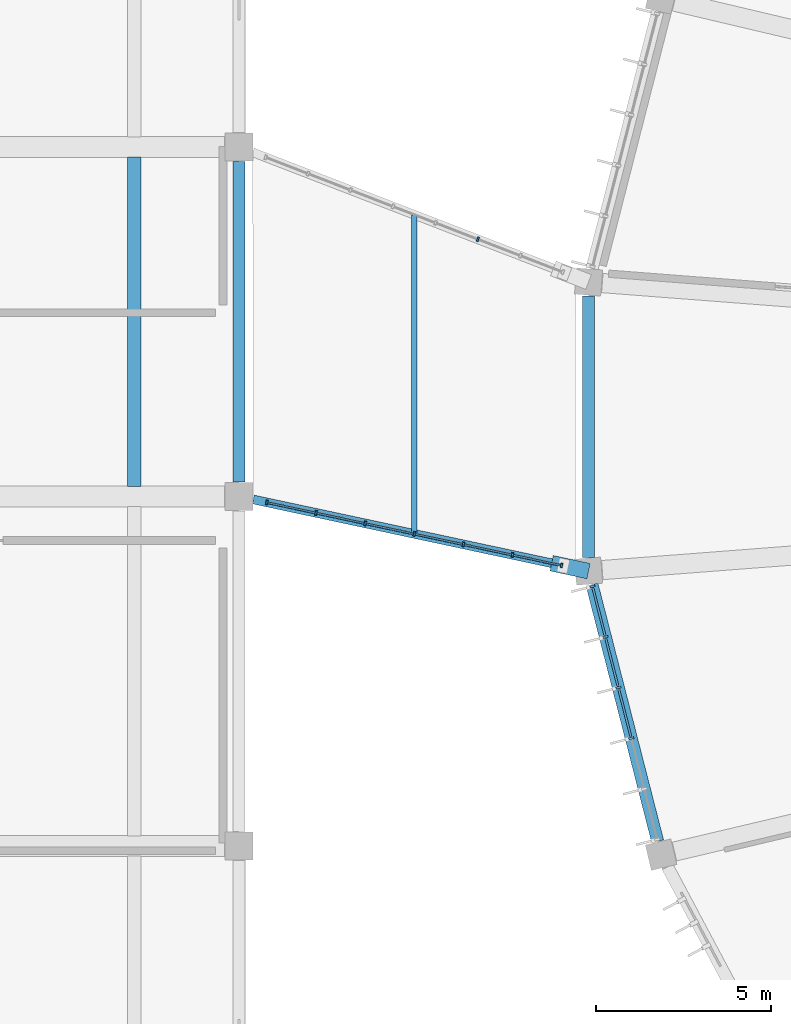
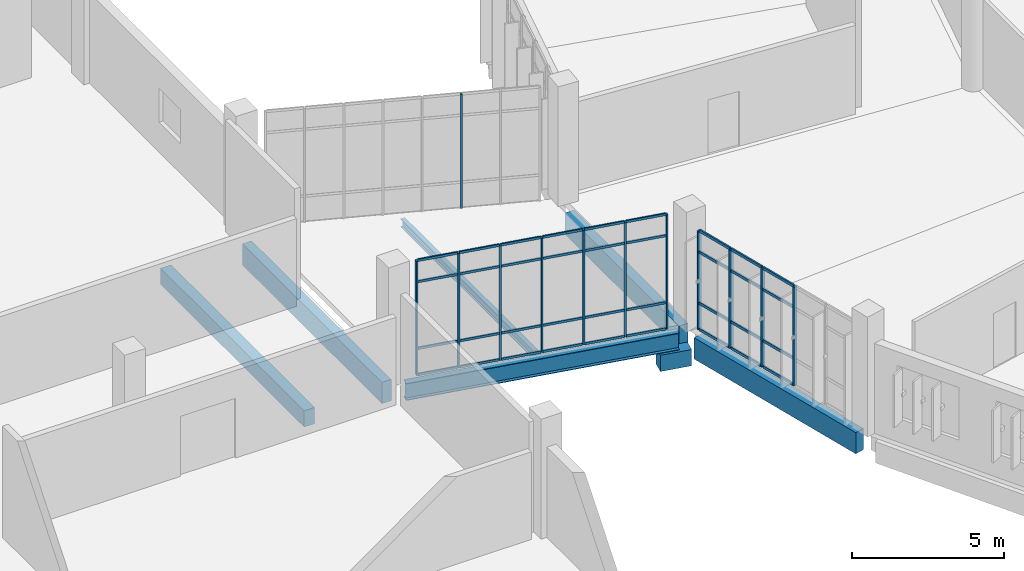
# One storey, part 5 of 179: 48 members, 7 beams, 3 elements without a shape of their own.
"""IFC4 building model written with IfcOpenShell, lengths in metres."""

import ifcopenshell
import ifcopenshell.guid

model = None  # the IFC model being written
_history = None  # IfcOwnerHistory: only IFC2X3 demands one
_inside = {}  # id of a spatial element -> (the spatial element, [elements in it])
_under = {}  # id of a project, library or spatial element -> (it, [spatial elements below it])
_declared = {}  # id of a project -> (the project, [libraries it declares])
_typed = {}  # id of a type object -> (the type object, [elements of that type])
_made_of = {}  # id of a material, layer set ... -> (it, [elements and type objects made of it])


def new_model(schema):
    """Start an empty IFC model of exactly this schema.

    Asked for "IFC4X3", IfcOpenShell would pick the latest addendum, in which some entities
    have other attributes; the version numbers below select the first issue.
    IFC2X3 requires an IfcOwnerHistory on every rooted entity: one is made here for all.
    """
    global model, _history
    if schema == "IFC4X3":
        model = ifcopenshell.file(schema_version=(4, 3, 0, 0))
    else:
        model = ifcopenshell.file(schema=schema)
    _inside.clear()
    _under.clear()
    _declared.clear()
    _typed.clear()
    _made_of.clear()
    _history = None
    if model.schema == "IFC2X3":
        org = make("IfcOrganization", Name="unknown")
        user = make(
            "IfcPersonAndOrganization",
            ThePerson=make("IfcPerson", FamilyName="unknown"),
            TheOrganization=org,
        )
        app = make(
            "IfcApplication",
            ApplicationDeveloper=org,
            Version="unknown",
            ApplicationFullName="unknown",
            ApplicationIdentifier="unknown",
        )
        _history = make(
            "IfcOwnerHistory",
            OwningUser=user,
            OwningApplication=app,
            ChangeAction="ADDED",
            CreationDate=0,
        )
    return model


def make(cls, **values):
    """One entity of the class cls with the attributes given. An attribute that is None is left unset."""
    return model.create_entity(
        cls, **{name: value for name, value in values.items() if value is not None}
    )


def rooted(cls, **values):
    """An entity with a GlobalId (a new one), such as an element, a storey or a relation."""
    return make(cls, GlobalId=ifcopenshell.guid.new(), OwnerHistory=_history, **values)


def si_unit(unit_type, name, prefix=None):
    """IfcSIUnit, for example si_unit("LENGTHUNIT", "METRE", prefix="MILLI")."""
    return make("IfcSIUnit", UnitType=unit_type, Prefix=prefix, Name=name)


def assignment(units):
    """IfcUnitAssignment: the units of a project."""
    return None if units is None else make("IfcUnitAssignment", Units=units)


def point(xyz):
    """IfcCartesianPoint."""
    return None if xyz is None else make("IfcCartesianPoint", Coordinates=xyz)


def direction(xyz):
    """IfcDirection."""
    return None if xyz is None else make("IfcDirection", DirectionRatios=xyz)


def frame(location, z_axis=None, x_axis=None):
    """IfcAxis2Placement3D, a coordinate frame: its origin and axes. An axis left out is left unset."""
    return make(
        "IfcAxis2Placement3D",
        Location=point(location),
        Axis=direction(z_axis),
        RefDirection=direction(x_axis),
    )


def frame_2d(location, x_axis=None):
    """IfcAxis2Placement2D, a coordinate frame in the plane: its origin and x axis."""
    return make(
        "IfcAxis2Placement2D", Location=point(location), RefDirection=direction(x_axis)
    )


def origin():
    """The frame at (0, 0, 0) with its axes left unset."""
    return frame((0.0, 0.0, 0.0))


def origin_2d():
    """The frame at (0, 0) in the plane with its x axis left unset."""
    return frame_2d((0.0, 0.0))


def place(relative_to, where):
    """IfcLocalPlacement: puts the frame where relative to a parent placement (None: the world)."""
    return make(
        "IfcLocalPlacement", PlacementRelTo=relative_to, RelativePlacement=where
    )


def context(
    kind, dimensions, precision=None, world=None, true_north=None, identifier=None
):
    """IfcGeometricRepresentationContext, for example the 3D "Model" context."""
    return make(
        "IfcGeometricRepresentationContext",
        ContextIdentifier=identifier,
        ContextType=kind,
        CoordinateSpaceDimension=dimensions,
        Precision=precision,
        WorldCoordinateSystem=world,
        TrueNorth=true_north,
    )


def subcontext(parent, identifier, kind, view, scale=None):
    """IfcGeometricRepresentationSubContext, for example "Body" below "Model"."""
    return make(
        "IfcGeometricRepresentationSubContext",
        ContextIdentifier=identifier,
        ContextType=kind,
        ParentContext=parent,
        TargetScale=scale,
        TargetView=view,
    )


def project(units=None, contexts=None):
    """IfcProject with its units and contexts."""
    return rooted(
        "IfcProject",
        Name="project",
        RepresentationContexts=contexts,
        UnitsInContext=assignment(units),
    )


def spatial(cls, under=None, at=None, **own):
    """A site, building, storey or space (cls), placed at a placement, below another one or the project."""
    s = rooted(cls, ObjectPlacement=at, **own)
    if under is not None:
        _under.setdefault(under.id(), (under, []))[1].append(s)
    return s


def profile(cls, at=None, kind="AREA", **sizes):
    """A parametric profile (cls). Its sizes go by their IFC names, for example OverallWidth=200.0."""
    return make(cls, ProfileType=kind, Position=at, **sizes)


def rectangle(**sizes):
    """IfcRectangleProfileDef."""
    return profile("IfcRectangleProfileDef", **sizes)


def i_section(**sizes):
    """IfcIShapeProfileDef."""
    return profile("IfcIShapeProfileDef", **sizes)


def extrude(swept, where, along, depth):
    """IfcExtrudedAreaSolid: the profile swept, set in the frame where, extruded along a direction by depth."""
    return make(
        "IfcExtrudedAreaSolid",
        SweptArea=swept,
        Position=where,
        ExtrudedDirection=direction(along),
        Depth=depth,
    )


def shape(context_of_items, identifier, shape_type, items):
    """IfcShapeRepresentation: the items that make up one representation, for example the "Body"."""
    return make(
        "IfcShapeRepresentation",
        ContextOfItems=context_of_items,
        RepresentationIdentifier=identifier,
        RepresentationType=shape_type,
        Items=items,
    )


def material(Name=None, Category=None):
    """IfcMaterial."""
    return make("IfcMaterial", Name=Name, Category=Category)


def layer(
    of_material, thickness, ventilated=None, Name=None, Category=None, Priority=None
):
    """IfcMaterialLayer: one layer of a wall or slab, of a material (None: an air gap)."""
    return make(
        "IfcMaterialLayer",
        Material=of_material,
        LayerThickness=thickness,
        IsVentilated=ventilated,
        Name=Name,
        Category=Category,
        Priority=Priority,
    )


def layer_set(layers, Name=None):
    """IfcMaterialLayerSet."""
    return make("IfcMaterialLayerSet", MaterialLayers=layers, LayerSetName=Name)


def material_profile(
    of_material, cross_section, Name=None, Category=None, Priority=None
):
    """IfcMaterialProfile: a cross section and its material."""
    return make(
        "IfcMaterialProfile",
        Name=Name,
        Material=of_material,
        Profile=cross_section,
        Priority=Priority,
        Category=Category,
    )


def profile_set(profiles, Name=None, composite=None):
    """IfcMaterialProfileSet."""
    return make(
        "IfcMaterialProfileSet",
        Name=Name,
        MaterialProfiles=profiles,
        CompositeProfile=composite,
    )


def made_of(thing, what):
    """Note that an element or type object is made of a material, layer set ...; save() writes the relation."""
    if what is not None:
        _made_of.setdefault(what.id(), (what, []))[1].append(thing)
    return thing


def type_object(cls, material=None, **own):
    """A type object (cls), such as IfcWallType, which elements share."""
    return made_of(rooted(cls, **own), material)


def element(
    cls,
    number,
    at=None,
    inside=None,
    cuts=None,
    type_object=None,
    material=None,
    context=None,
    identifier="Body",
    shape_type=None,
    held_by="IfcProductDefinitionShape",
    body=None,
    shapes=None,
    **own,
):
    """One element of the class cls, such as IfcWall. Its Tag is "e" and its number.

    at: its placement. inside: the storey or other place that contains it. cuts: it is an
    opening in that element (IfcRelVoidsElement). A single representation is given by context,
    identifier, shape_type and body (its items); several are given by shapes. held_by: the class
    of the entity that holds the representations. save() writes the other relations.
    """
    e = rooted(cls, Tag="e%d" % number, ObjectPlacement=at, **own)
    if body is not None:
        shapes = [shape(context, identifier, shape_type, body)]
    if shapes is not None:
        e.Representation = make(held_by, Representations=shapes)
    if inside is not None:
        _inside.setdefault(inside.id(), (inside, []))[1].append(e)
    if cuts is not None:
        rooted(
            "IfcRelVoidsElement", RelatingBuildingElement=cuts, RelatedOpeningElement=e
        )
    if type_object is not None:
        _typed.setdefault(type_object.id(), (type_object, []))[1].append(e)
    return made_of(e, material)


def aggregate(whole, parts):
    """IfcRelAggregates: a whole, such as a stair, and the parts it consists of."""
    return rooted("IfcRelAggregates", RelatingObject=whole, RelatedObjects=parts)


def save(model, path):
    """Write the relations noted so far, then the file.

    IfcRelAggregates (storeys below a building ...), IfcRelContainedInSpatialStructure (elements
    in a storey), IfcRelDefinesByType, IfcRelAssociatesMaterial and IfcRelDeclares: one each for
    every whole, place, type object, material and project.
    """
    for whole, parts in _under.values():
        aggregate(whole, parts)
    for where, things in _inside.values():
        rooted(
            "IfcRelContainedInSpatialStructure",
            RelatedElements=things,
            RelatingStructure=where,
        )
    for kind, things in _typed.values():
        rooted("IfcRelDefinesByType", RelatedObjects=things, RelatingType=kind)
    for what, things in _made_of.values():
        rooted("IfcRelAssociatesMaterial", RelatedObjects=things, RelatingMaterial=what)
    for by, libraries in _declared.values():
        rooted("IfcRelDeclares", RelatingContext=by, RelatedDefinitions=libraries)
    model.write(path)


model = new_model("IFC4")

# Units and contexts
model_context = context("Model", 3, precision=1e-05, world=origin(), true_north=direction((0.0, 1.0)))
body_context = subcontext(model_context, "Body", "Model", "MODEL_VIEW")
ifc_project = project(units=[si_unit("LENGTHUNIT", "METRE"), si_unit("AREAUNIT", "SQUARE_METRE"), si_unit("VOLUMEUNIT", "CUBIC_METRE"), si_unit("PLANEANGLEUNIT", "RADIAN"), si_unit("MASSUNIT", "GRAM", prefix="KILO")], contexts=[model_context])

# Site, building, storey
site_placement = place(None, origin())
site = spatial("IfcSite", under=ifc_project, at=site_placement, CompositionType="ELEMENT")
building_placement = place(site_placement, origin())
building = spatial("IfcBuilding", under=site, at=building_placement, Name="Corvandel Quay Wholesale Market", CompositionType="ELEMENT")
storey_placement = place(building_placement, frame((0.0, 0.0, 6.0)))
storey = spatial("IfcBuildingStorey", under=building, at=storey_placement, Name="L01", CompositionType="ELEMENT", Elevation=6.0)

# Beams
ifc_material_1 = material(Name="Steel A992 Grade 50", Category="steel")
ifc_material_profile_1 = material_profile(ifc_material_1, i_section(OverallWidth=0.1669921875, OverallDepth=0.318115234375, WebThickness=0.007568359375, FlangeThickness=0.01318359375, at=origin_2d()), Name="W12X35")
ifc_profile_set_1 = profile_set([ifc_material_profile_1], Name="Steel A992 Grade 50")
beam_type_1 = type_object("IfcBeamType", Name="Bridge Floor Steel Beam SB02 W12X35", PredefinedType="BEAM", material=ifc_profile_set_1)
beam_1_placement = place(storey_placement, frame((55.01220703125, 38.93896484375, -0.3798828125), z_axis=(-5.3569037e-05, 0.999999998565, 0.0), x_axis=(-0.999999998565, -5.3569037e-05, 0.0)))
element("IfcBeam", 1, at=beam_1_placement, inside=storey, type_object=beam_type_1, Name="Beam BM-1780", PredefinedType="BEAM", context=body_context, shape_type="SweptSolid", body=[
    extrude(i_section(OverallWidth=0.1669921875, OverallDepth=0.318115234375, WebThickness=0.007568359375, FlangeThickness=0.01318359375, at=origin_2d()), origin(), (0.0, 0.0, 1.0), 9.114990234375),
])
ifc_material_profile_2 = material_profile(ifc_material_1, i_section(OverallWidth=0.25390625, OverallDepth=0.68310546875, WebThickness=0.012451171875, FlangeThickness=0.018798828125, at=origin_2d()), Name="W27X94")
ifc_profile_set_2 = profile_set([ifc_material_profile_2], Name="Steel A992 Grade 50")
beam_type_2 = type_object("IfcBeamType", Name="Bridge Link Steel Girder SG01 W27X94", PredefinedType="USERDEFINED", material=ifc_profile_set_2)
beam_2_placement = place(storey_placement, frame((50.40576171875, 39.913330078125, -0.5615234375), z_axis=(0.977920581315, -0.208976880637, 0.0), x_axis=(0.208976880637, 0.977920581315, 0.0)))
element("IfcBeam", 2, at=beam_2_placement, inside=storey, type_object=beam_type_2, Name="Beam BM-1777", ObjectType="GIRDER", PredefinedType="USERDEFINED", context=body_context, shape_type="SweptSolid", body=[
    extrude(i_section(OverallWidth=0.25390625, OverallDepth=0.68310546875, WebThickness=0.012451171875, FlangeThickness=0.018798828125, at=origin_2d()), origin(), (0.0, 0.0, 1.0), 9.4208984375),
])

# Curtain wall, members
ifc_material_2 = material(Name="Bronze anodised aluminium and low-E insulated glazing", Category="aluminium")
ifc_layer_1 = layer(ifc_material_2, 0.174072265625)
ifc_layer_set_1 = layer_set([ifc_layer_1], Name="Bronze anodised aluminium and low-E insulated glazing")
curtain_wall_type_1 = type_object("IfcCurtainWallType", Name="Stick Curtain Wall System CW27 H5430", PredefinedType="NOTDEFINED", material=ifc_layer_set_1)
curtain_wall_1_placement = place(storey_placement, origin())
curtain_wall_1 = element("IfcCurtainWall", 3, at=curtain_wall_1_placement, inside=storey, type_object=curtain_wall_type_1, Name="Curtain Wall CW-0172", PredefinedType="NOTDEFINED")
ifc_material_3 = material(Name="Anodised aluminium 6063-T6", Category="aluminium")
ifc_material_profile_3 = material_profile(ifc_material_3, rectangle(XDim=0.06005859375, YDim=0.1298828125, at=origin_2d()), Name="ALU-MUL-60x130")
ifc_profile_set_3 = profile_set([ifc_material_profile_3], Name="Anodised aluminium 6063-T6")
member_type_1 = type_object("IfcMemberType", Name="Clerestory Mullion ML03 60x130", PredefinedType="MULLION", material=ifc_profile_set_3)
member_1_placement = place(storey_placement, frame((50.796875, 39.82958984375, -0.030029296875), z_axis=(0.0, 0.0, 1.0), x_axis=(-0.977929339831, 0.208935890402, 0.0)))
member_1 = element("IfcMember", 4, at=member_1_placement, type_object=member_type_1, Name="Mullion CW-0172-M00", PredefinedType="MULLION", context=body_context, shape_type="SweptSolid", body=[
    extrude(rectangle(XDim=0.06005859375, YDim=0.1298828125, at=origin_2d()), origin(), (0.0, 0.0, 1.0), 4.580078125),
])
member_2_placement = place(storey_placement, frame((52.201904296875, 39.529296875, -0.030029296875), z_axis=(0.0, 0.0, 1.0), x_axis=(-0.977929339831, 0.208935890402, 0.0)))
member_2 = element("IfcMember", 5, at=member_2_placement, type_object=member_type_1, Name="Mullion CW-0172-M01", PredefinedType="MULLION", context=body_context, shape_type="SweptSolid", body=[
    extrude(rectangle(XDim=0.06005859375, YDim=0.1298828125, at=origin_2d()), origin(), (0.0, 0.0, 1.0), 4.580078125),
])
member_3_placement = place(storey_placement, frame((53.607177734375, 39.229248046875, -0.030029296875), z_axis=(0.0, 0.0, 1.0), x_axis=(-0.977929339831, 0.208935890402, 0.0)))
member_3 = element("IfcMember", 6, at=member_3_placement, type_object=member_type_1, Name="Mullion CW-0172-M02", PredefinedType="MULLION", context=body_context, shape_type="SweptSolid", body=[
    extrude(rectangle(XDim=0.06005859375, YDim=0.1298828125, at=origin_2d()), origin(), (0.0, 0.0, 1.0), 4.580078125),
])
member_4_placement = place(storey_placement, frame((55.01220703125, 38.928955078125, -0.030029296875), z_axis=(0.0, 0.0, 1.0), x_axis=(-0.977929339831, 0.208935890402, 0.0)))
member_4 = element("IfcMember", 7, at=member_4_placement, type_object=member_type_1, Name="Mullion CW-0172-M03", PredefinedType="MULLION", context=body_context, shape_type="SweptSolid", body=[
    extrude(rectangle(XDim=0.06005859375, YDim=0.1298828125, at=origin_2d()), origin(), (0.0, 0.0, 1.0), 4.580078125),
])
member_5_placement = place(storey_placement, frame((56.417236328125, 38.628662109375, -0.030029296875), z_axis=(0.0, 0.0, 1.0), x_axis=(-0.977929339831, 0.208935890402, 0.0)))
member_5 = element("IfcMember", 8, at=member_5_placement, type_object=member_type_1, Name="Mullion CW-0172-M04", PredefinedType="MULLION", context=body_context, shape_type="SweptSolid", body=[
    extrude(rectangle(XDim=0.06005859375, YDim=0.1298828125, at=origin_2d()), origin(), (0.0, 0.0, 1.0), 4.580078125),
])
member_6_placement = place(storey_placement, frame((57.822509765625, 38.328369140625, -0.030029296875), z_axis=(0.0, 0.0, 1.0), x_axis=(-0.977929339831, 0.208935890402, 0.0)))
member_6 = element("IfcMember", 9, at=member_6_placement, type_object=member_type_1, Name="Mullion CW-0172-M05", PredefinedType="MULLION", context=body_context, shape_type="SweptSolid", body=[
    extrude(rectangle(XDim=0.06005859375, YDim=0.1298828125, at=origin_2d()), origin(), (0.0, 0.0, 1.0), 4.580078125),
])
member_7_placement = place(storey_placement, frame((59.2275390625, 38.028076171875, -0.030029296875), z_axis=(0.0, 0.0, 1.0), x_axis=(-0.977929339831, 0.208935890402, 0.0)))
member_7 = element("IfcMember", 10, at=member_7_placement, type_object=member_type_1, Name="Mullion CW-0172-M06", PredefinedType="MULLION", context=body_context, shape_type="SweptSolid", body=[
    extrude(rectangle(XDim=0.06005859375, YDim=0.1298828125, at=origin_2d()), origin(), (0.0, 0.0, 1.0), 4.580078125),
])

# Curtain wall, member
ifc_layer_2 = layer(ifc_material_2, 0.14990234375)
ifc_layer_set_2 = layer_set([ifc_layer_2], Name="Bronze anodised aluminium and low-E insulated glazing")
curtain_wall_type_2 = type_object("IfcCurtainWallType", Name="Stick Curtain Wall System CW20 H4800", PredefinedType="NOTDEFINED", material=ifc_layer_set_2)
curtain_wall_2_placement = place(storey_placement, origin())
curtain_wall_2 = element("IfcCurtainWall", 11, at=curtain_wall_2_placement, inside=storey, type_object=curtain_wall_type_2, Name="Curtain Wall CW-0173", PredefinedType="NOTDEFINED")
member_8_placement = place(storey_placement, frame((56.833740234375, 47.360107421875, -0.030029296875), z_axis=(0.0, 0.0, 1.0), x_axis=(-0.932827815397, 0.3603224484, 0.0)))
member_8 = element("IfcMember", 12, at=member_8_placement, type_object=member_type_1, Name="Mullion CW-0173-M05", PredefinedType="MULLION", context=body_context, shape_type="SweptSolid", body=[
    extrude(rectangle(XDim=0.06005859375, YDim=0.1298828125, at=origin_2d()), origin(), (0.0, 0.0, 1.0), 4.580078125),
])
aggregate(curtain_wall_2, [member_8])

# Member
ifc_material_profile_4 = material_profile(ifc_material_3, rectangle(XDim=0.054931640625, YDim=0.094970703125, at=origin_2d()), Name="ALU-TRN-55x95")
ifc_profile_set_4 = profile_set([ifc_material_profile_4], Name="Anodised aluminium 6063-T6")
member_type_2 = type_object("IfcMemberType", Name="Clerestory Transom TR03 55x95", PredefinedType="USERDEFINED", material=ifc_profile_set_4)
member_9_placement = place(storey_placement, frame((50.826171875, 39.823486328125, -0.030029296875), z_axis=(0.977903500486, -0.20905679548, 0.0), x_axis=(0.20905679548, 0.977903500486, 0.0)))
member_9 = element("IfcMember", 13, at=member_9_placement, type_object=member_type_2, Name="Transom CW-0172-T00-0", ObjectType="TRANSOM", PredefinedType="USERDEFINED", context=body_context, shape_type="SweptSolid", body=[
    extrude(rectangle(XDim=0.054931640625, YDim=0.094970703125, at=origin_2d()), origin(), (0.0, 0.0, 1.0), 1.376953125),
])

member_10_placement = place(storey_placement, frame((50.826171875, 39.823486328125, 1.02001953125), z_axis=(0.977903500486, -0.20905679548, 0.0), x_axis=(0.20905679548, 0.977903500486, 0.0)))
member_10 = element("IfcMember", 14, at=member_10_placement, type_object=member_type_2, Name="Transom CW-0172-T00-1", ObjectType="TRANSOM", PredefinedType="USERDEFINED", context=body_context, shape_type="SweptSolid", body=[
    extrude(rectangle(XDim=0.054931640625, YDim=0.094970703125, at=origin_2d()), origin(), (0.0, 0.0, 1.0), 1.376953125),
])

member_11_placement = place(storey_placement, frame((50.826171875, 39.823486328125, 3.699951171875), z_axis=(0.977903500486, -0.20905679548, 0.0), x_axis=(0.20905679548, 0.977903500486, 0.0)))
member_11 = element("IfcMember", 15, at=member_11_placement, type_object=member_type_2, Name="Transom CW-0172-T00-2", ObjectType="TRANSOM", PredefinedType="USERDEFINED", context=body_context, shape_type="SweptSolid", body=[
    extrude(rectangle(XDim=0.054931640625, YDim=0.094970703125, at=origin_2d()), origin(), (0.0, 0.0, 1.0), 1.376953125),
])

member_12_placement = place(storey_placement, frame((50.826171875, 39.823486328125, 4.550048828125), z_axis=(0.977903500486, -0.20905679548, 0.0), x_axis=(0.20905679548, 0.977903500486, 0.0)))
member_12 = element("IfcMember", 16, at=member_12_placement, type_object=member_type_2, Name="Transom CW-0172-T00-3", ObjectType="TRANSOM", PredefinedType="USERDEFINED", context=body_context, shape_type="SweptSolid", body=[
    extrude(rectangle(XDim=0.054931640625, YDim=0.094970703125, at=origin_2d()), origin(), (0.0, 0.0, 1.0), 1.376953125),
])

member_13_placement = place(storey_placement, frame((52.231201171875, 39.523193359375, -0.030029296875), z_axis=(0.977911248067, -0.209020551391, 0.0), x_axis=(0.209020551391, 0.977911248067, 0.0)))
member_13 = element("IfcMember", 17, at=member_13_placement, type_object=member_type_2, Name="Transom CW-0172-T01-0", ObjectType="TRANSOM", PredefinedType="USERDEFINED", context=body_context, shape_type="SweptSolid", body=[
    extrude(rectangle(XDim=0.054931640625, YDim=0.094970703125, at=origin_2d()), origin(), (0.0, 0.0, 1.0), 1.377197265625),
])

member_14_placement = place(storey_placement, frame((52.231201171875, 39.523193359375, 1.02001953125), z_axis=(0.977911248067, -0.209020551391, 0.0), x_axis=(0.209020551391, 0.977911248067, 0.0)))
member_14 = element("IfcMember", 18, at=member_14_placement, type_object=member_type_2, Name="Transom CW-0172-T01-1", ObjectType="TRANSOM", PredefinedType="USERDEFINED", context=body_context, shape_type="SweptSolid", body=[
    extrude(rectangle(XDim=0.054931640625, YDim=0.094970703125, at=origin_2d()), origin(), (0.0, 0.0, 1.0), 1.377197265625),
])

member_15_placement = place(storey_placement, frame((52.231201171875, 39.523193359375, 3.699951171875), z_axis=(0.977911248067, -0.209020551391, 0.0), x_axis=(0.209020551391, 0.977911248067, 0.0)))
member_15 = element("IfcMember", 19, at=member_15_placement, type_object=member_type_2, Name="Transom CW-0172-T01-2", ObjectType="TRANSOM", PredefinedType="USERDEFINED", context=body_context, shape_type="SweptSolid", body=[
    extrude(rectangle(XDim=0.054931640625, YDim=0.094970703125, at=origin_2d()), origin(), (0.0, 0.0, 1.0), 1.377197265625),
])

member_16_placement = place(storey_placement, frame((52.231201171875, 39.523193359375, 4.550048828125), z_axis=(0.977911248067, -0.209020551391, 0.0), x_axis=(0.209020551391, 0.977911248067, 0.0)))
member_16 = element("IfcMember", 20, at=member_16_placement, type_object=member_type_2, Name="Transom CW-0172-T01-3", ObjectType="TRANSOM", PredefinedType="USERDEFINED", context=body_context, shape_type="SweptSolid", body=[
    extrude(rectangle(XDim=0.054931640625, YDim=0.094970703125, at=origin_2d()), origin(), (0.0, 0.0, 1.0), 1.377197265625),
])

member_17_placement = place(storey_placement, frame((53.636474609375, 39.222900390625, -0.030029296875), z_axis=(0.977939737358, -0.208887218605, 0.0), x_axis=(0.208887218605, 0.977939737358, 0.0)))
member_17 = element("IfcMember", 21, at=member_17_placement, type_object=member_type_2, Name="Transom CW-0172-T02-0", ObjectType="TRANSOM", PredefinedType="USERDEFINED", context=body_context, shape_type="SweptSolid", body=[
    extrude(rectangle(XDim=0.054931640625, YDim=0.094970703125, at=origin_2d()), origin(), (0.0, 0.0, 1.0), 1.376708984375),
])

member_18_placement = place(storey_placement, frame((53.636474609375, 39.222900390625, 1.02001953125), z_axis=(0.977939737358, -0.208887218605, 0.0), x_axis=(0.208887218605, 0.977939737358, 0.0)))
member_18 = element("IfcMember", 22, at=member_18_placement, type_object=member_type_2, Name="Transom CW-0172-T02-1", ObjectType="TRANSOM", PredefinedType="USERDEFINED", context=body_context, shape_type="SweptSolid", body=[
    extrude(rectangle(XDim=0.054931640625, YDim=0.094970703125, at=origin_2d()), origin(), (0.0, 0.0, 1.0), 1.376708984375),
])

member_19_placement = place(storey_placement, frame((53.636474609375, 39.222900390625, 3.699951171875), z_axis=(0.977939737358, -0.208887218605, 0.0), x_axis=(0.208887218605, 0.977939737358, 0.0)))
member_19 = element("IfcMember", 23, at=member_19_placement, type_object=member_type_2, Name="Transom CW-0172-T02-2", ObjectType="TRANSOM", PredefinedType="USERDEFINED", context=body_context, shape_type="SweptSolid", body=[
    extrude(rectangle(XDim=0.054931640625, YDim=0.094970703125, at=origin_2d()), origin(), (0.0, 0.0, 1.0), 1.376708984375),
])

member_20_placement = place(storey_placement, frame((53.636474609375, 39.222900390625, 4.550048828125), z_axis=(0.977939737358, -0.208887218605, 0.0), x_axis=(0.208887218605, 0.977939737358, 0.0)))
member_20 = element("IfcMember", 24, at=member_20_placement, type_object=member_type_2, Name="Transom CW-0172-T02-3", ObjectType="TRANSOM", PredefinedType="USERDEFINED", context=body_context, shape_type="SweptSolid", body=[
    extrude(rectangle(XDim=0.054931640625, YDim=0.094970703125, at=origin_2d()), origin(), (0.0, 0.0, 1.0), 1.376708984375),
])

member_21_placement = place(storey_placement, frame((55.04150390625, 38.922607421875, -0.030029296875), z_axis=(0.977939737358, -0.208887218605, 0.0), x_axis=(0.208887218605, 0.977939737358, 0.0)))
member_21 = element("IfcMember", 25, at=member_21_placement, type_object=member_type_2, Name="Transom CW-0172-T03-0", ObjectType="TRANSOM", PredefinedType="USERDEFINED", context=body_context, shape_type="SweptSolid", body=[
    extrude(rectangle(XDim=0.054931640625, YDim=0.094970703125, at=origin_2d()), origin(), (0.0, 0.0, 1.0), 1.376708984375),
])

member_22_placement = place(storey_placement, frame((55.04150390625, 38.922607421875, 1.02001953125), z_axis=(0.977939737358, -0.208887218605, 0.0), x_axis=(0.208887218605, 0.977939737358, 0.0)))
member_22 = element("IfcMember", 26, at=member_22_placement, type_object=member_type_2, Name="Transom CW-0172-T03-1", ObjectType="TRANSOM", PredefinedType="USERDEFINED", context=body_context, shape_type="SweptSolid", body=[
    extrude(rectangle(XDim=0.054931640625, YDim=0.094970703125, at=origin_2d()), origin(), (0.0, 0.0, 1.0), 1.376708984375),
])

member_23_placement = place(storey_placement, frame((55.04150390625, 38.922607421875, 3.699951171875), z_axis=(0.977939737358, -0.208887218605, 0.0), x_axis=(0.208887218605, 0.977939737358, 0.0)))
member_23 = element("IfcMember", 27, at=member_23_placement, type_object=member_type_2, Name="Transom CW-0172-T03-2", ObjectType="TRANSOM", PredefinedType="USERDEFINED", context=body_context, shape_type="SweptSolid", body=[
    extrude(rectangle(XDim=0.054931640625, YDim=0.094970703125, at=origin_2d()), origin(), (0.0, 0.0, 1.0), 1.376708984375),
])

member_24_placement = place(storey_placement, frame((55.04150390625, 38.922607421875, 4.550048828125), z_axis=(0.977939737358, -0.208887218605, 0.0), x_axis=(0.208887218605, 0.977939737358, 0.0)))
member_24 = element("IfcMember", 28, at=member_24_placement, type_object=member_type_2, Name="Transom CW-0172-T03-3", ObjectType="TRANSOM", PredefinedType="USERDEFINED", context=body_context, shape_type="SweptSolid", body=[
    extrude(rectangle(XDim=0.054931640625, YDim=0.094970703125, at=origin_2d()), origin(), (0.0, 0.0, 1.0), 1.376708984375),
])

member_25_placement = place(storey_placement, frame((56.446533203125, 38.622314453125, -0.030029296875), z_axis=(0.977947472661, -0.208851001232, 0.0), x_axis=(0.208851001232, 0.977947472661, 0.0)))
member_25 = element("IfcMember", 29, at=member_25_placement, type_object=member_type_2, Name="Transom CW-0172-T04-0", ObjectType="TRANSOM", PredefinedType="USERDEFINED", context=body_context, shape_type="SweptSolid", body=[
    extrude(rectangle(XDim=0.054931640625, YDim=0.094970703125, at=origin_2d()), origin(), (0.0, 0.0, 1.0), 1.376953125),
])

member_26_placement = place(storey_placement, frame((56.446533203125, 38.622314453125, 1.02001953125), z_axis=(0.977947472661, -0.208851001232, 0.0), x_axis=(0.208851001232, 0.977947472661, 0.0)))
member_26 = element("IfcMember", 30, at=member_26_placement, type_object=member_type_2, Name="Transom CW-0172-T04-1", ObjectType="TRANSOM", PredefinedType="USERDEFINED", context=body_context, shape_type="SweptSolid", body=[
    extrude(rectangle(XDim=0.054931640625, YDim=0.094970703125, at=origin_2d()), origin(), (0.0, 0.0, 1.0), 1.376953125),
])

member_27_placement = place(storey_placement, frame((56.446533203125, 38.622314453125, 3.699951171875), z_axis=(0.977947472661, -0.208851001232, 0.0), x_axis=(0.208851001232, 0.977947472661, 0.0)))
member_27 = element("IfcMember", 31, at=member_27_placement, type_object=member_type_2, Name="Transom CW-0172-T04-2", ObjectType="TRANSOM", PredefinedType="USERDEFINED", context=body_context, shape_type="SweptSolid", body=[
    extrude(rectangle(XDim=0.054931640625, YDim=0.094970703125, at=origin_2d()), origin(), (0.0, 0.0, 1.0), 1.376953125),
])

member_28_placement = place(storey_placement, frame((56.446533203125, 38.622314453125, 4.550048828125), z_axis=(0.977947472661, -0.208851001232, 0.0), x_axis=(0.208851001232, 0.977947472661, 0.0)))
member_28 = element("IfcMember", 32, at=member_28_placement, type_object=member_type_2, Name="Transom CW-0172-T04-3", ObjectType="TRANSOM", PredefinedType="USERDEFINED", context=body_context, shape_type="SweptSolid", body=[
    extrude(rectangle(XDim=0.054931640625, YDim=0.094970703125, at=origin_2d()), origin(), (0.0, 0.0, 1.0), 1.376953125),
])

member_29_placement = place(storey_placement, frame((57.851806640625, 38.322021484375, -0.030029296875), z_axis=(0.977939737358, -0.208887218605, 0.0), x_axis=(0.208887218605, 0.977939737358, 0.0)))
member_29 = element("IfcMember", 33, at=member_29_placement, type_object=member_type_2, Name="Transom CW-0172-T05-0", ObjectType="TRANSOM", PredefinedType="USERDEFINED", context=body_context, shape_type="SweptSolid", body=[
    extrude(rectangle(XDim=0.054931640625, YDim=0.094970703125, at=origin_2d()), origin(), (0.0, 0.0, 1.0), 1.376708984375),
])

member_30_placement = place(storey_placement, frame((57.851806640625, 38.322021484375, 1.02001953125), z_axis=(0.977939737358, -0.208887218605, 0.0), x_axis=(0.208887218605, 0.977939737358, 0.0)))
member_30 = element("IfcMember", 34, at=member_30_placement, type_object=member_type_2, Name="Transom CW-0172-T05-1", ObjectType="TRANSOM", PredefinedType="USERDEFINED", context=body_context, shape_type="SweptSolid", body=[
    extrude(rectangle(XDim=0.054931640625, YDim=0.094970703125, at=origin_2d()), origin(), (0.0, 0.0, 1.0), 1.376708984375),
])

member_31_placement = place(storey_placement, frame((57.851806640625, 38.322021484375, 3.699951171875), z_axis=(0.977939737358, -0.208887218605, 0.0), x_axis=(0.208887218605, 0.977939737358, 0.0)))
member_31 = element("IfcMember", 35, at=member_31_placement, type_object=member_type_2, Name="Transom CW-0172-T05-2", ObjectType="TRANSOM", PredefinedType="USERDEFINED", context=body_context, shape_type="SweptSolid", body=[
    extrude(rectangle(XDim=0.054931640625, YDim=0.094970703125, at=origin_2d()), origin(), (0.0, 0.0, 1.0), 1.376708984375),
])

member_32_placement = place(storey_placement, frame((57.851806640625, 38.322021484375, 4.550048828125), z_axis=(0.977939737358, -0.208887218605, 0.0), x_axis=(0.208887218605, 0.977939737358, 0.0)))
member_32 = element("IfcMember", 36, at=member_32_placement, type_object=member_type_2, Name="Transom CW-0172-T05-3", ObjectType="TRANSOM", PredefinedType="USERDEFINED", context=body_context, shape_type="SweptSolid", body=[
    extrude(rectangle(XDim=0.054931640625, YDim=0.094970703125, at=origin_2d()), origin(), (0.0, 0.0, 1.0), 1.376708984375),
])

aggregate(curtain_wall_1, [member_1, member_2, member_3, member_4, member_5, member_6, member_7, member_9, member_10, member_11, member_12, member_13, member_14, member_15, member_16, member_17, member_18, member_19, member_20, member_21, member_22, member_23, member_24, member_25, member_26, member_27, member_28, member_29, member_30, member_31, member_32])

# Beam
ifc_material_4 = material(Name="Precast concrete C45/55", Category="concrete")
ifc_material_profile_5 = material_profile(ifc_material_4, rectangle(XDim=0.39990234375, YDim=0.64990234375, at=origin_2d()), Name="PC-BM-400x650")
ifc_profile_set_5 = profile_set([ifc_material_profile_5], Name="Precast concrete C45/55")
beam_type_3 = type_object("IfcBeamType", Name="Cold Store Secondary Beam B01 400x650", PredefinedType="BEAM", material=ifc_profile_set_5)
beam_3_placement = place(storey_placement, frame((47.0, 40.2900390625, -0.68505859375), z_axis=(0.0, 1.0, 0.0), x_axis=(-1.0, 0.0, 0.0)))
element("IfcBeam", 37, at=beam_3_placement, inside=storey, type_object=beam_type_3, Name="Beam BM-1139", PredefinedType="BEAM", context=body_context, shape_type="SweptSolid", body=[
    extrude(rectangle(XDim=0.39990234375, YDim=0.64990234375, at=origin_2d()), origin(), (0.0, 0.0, 1.0), 9.419921875),
])

# Curtain wall, members
ifc_layer_3 = layer(ifc_material_2, 0.162109375)
ifc_layer_set_3 = layer_set([ifc_layer_3], Name="Bronze anodised aluminium and low-E insulated glazing")
curtain_wall_type_3 = type_object("IfcCurtainWallType", Name="Stick Curtain Wall System CW21 H4890", PredefinedType="NOTDEFINED", material=ifc_layer_set_3)
curtain_wall_3_placement = place(storey_placement, origin())
curtain_wall_3 = element("IfcCurtainWall", 38, at=curtain_wall_3_placement, inside=storey, type_object=curtain_wall_type_3, Name="Curtain Wall CW-0048", PredefinedType="NOTDEFINED")
ifc_material_profile_6 = material_profile(ifc_material_3, rectangle(XDim=0.06494140625, YDim=0.14990234375, at=origin_2d()), Name="ALU-MUL-65x150")
ifc_profile_set_6 = profile_set([ifc_material_profile_6], Name="Anodised aluminium 6063-T6")
member_type_3 = type_object("IfcMemberType", Name="Curtain Wall Mullion ML02 65x150", PredefinedType="MULLION", material=ifc_profile_set_6)
member_33_placement = place(storey_placement, frame((60.111572265625, 37.427001953125, 0.0), z_axis=(0.0, 0.0, 1.0), x_axis=(-0.247675453076, 0.968843057437, 0.0)))
member_33 = element("IfcMember", 39, at=member_33_placement, type_object=member_type_3, Name="Mullion CW-0048-M00", PredefinedType="MULLION", context=body_context, shape_type="SweptSolid", body=[
    extrude(rectangle(XDim=0.06494140625, YDim=0.14990234375, at=origin_2d()), origin(), (0.0, 0.0, 1.0), 3.949951171875),
])
member_34_placement = place(storey_placement, frame((60.48193359375, 35.978515625, 0.0), z_axis=(0.0, 0.0, 1.0), x_axis=(-0.247675453076, 0.968843057437, 0.0)))
member_34 = element("IfcMember", 40, at=member_34_placement, type_object=member_type_3, Name="Mullion CW-0048-M01", PredefinedType="MULLION", context=body_context, shape_type="SweptSolid", body=[
    extrude(rectangle(XDim=0.06494140625, YDim=0.14990234375, at=origin_2d()), origin(), (0.0, 0.0, 1.0), 3.949951171875),
])
member_35_placement = place(storey_placement, frame((60.852294921875, 34.5302734375, 0.0), z_axis=(0.0, 0.0, 1.0), x_axis=(-0.247675453076, 0.968843057437, 0.0)))
member_35 = element("IfcMember", 41, at=member_35_placement, type_object=member_type_3, Name="Mullion CW-0048-M02", PredefinedType="MULLION", context=body_context, shape_type="SweptSolid", body=[
    extrude(rectangle(XDim=0.06494140625, YDim=0.14990234375, at=origin_2d()), origin(), (0.0, 0.0, 1.0), 3.949951171875),
])
member_36_placement = place(storey_placement, frame((61.22265625, 33.081787109375, 0.0), z_axis=(0.0, 0.0, 1.0), x_axis=(-0.247675453076, 0.968843057437, 0.0)))
member_36 = element("IfcMember", 42, at=member_36_placement, type_object=member_type_3, Name="Mullion CW-0048-M03", PredefinedType="MULLION", context=body_context, shape_type="SweptSolid", body=[
    extrude(rectangle(XDim=0.06494140625, YDim=0.14990234375, at=origin_2d()), origin(), (0.0, 0.0, 1.0), 3.949951171875),
])
ifc_material_profile_7 = material_profile(ifc_material_3, rectangle(XDim=0.06005859375, YDim=0.110107421875, at=origin_2d()), Name="ALU-TRN-60x110")
ifc_profile_set_7 = profile_set([ifc_material_profile_7], Name="Anodised aluminium 6063-T6")
member_type_4 = type_object("IfcMemberType", Name="Curtain Wall Transom TR02 60x110", PredefinedType="USERDEFINED", material=ifc_profile_set_7)
member_37_placement = place(storey_placement, frame((60.11962890625, 37.3955078125, 0.0), z_axis=(0.24771400443, -0.968833201335, 0.0), x_axis=(0.968833201335, 0.24771400443, 0.0)))
member_37 = element("IfcMember", 43, at=member_37_placement, type_object=member_type_4, Name="Transom CW-0048-T00-0", ObjectType="TRANSOM", PredefinedType="USERDEFINED", context=body_context, shape_type="SweptSolid", body=[
    extrude(rectangle(XDim=0.06005859375, YDim=0.110107421875, at=origin_2d()), origin(), (0.0, 0.0, 1.0), 1.43017578125),
])
member_38_placement = place(storey_placement, frame((60.11962890625, 37.3955078125, 1.050048828125), z_axis=(0.24771400443, -0.968833201335, 0.0), x_axis=(0.968833201335, 0.24771400443, 0.0)))
member_38 = element("IfcMember", 44, at=member_38_placement, type_object=member_type_4, Name="Transom CW-0048-T00-1", ObjectType="TRANSOM", PredefinedType="USERDEFINED", context=body_context, shape_type="SweptSolid", body=[
    extrude(rectangle(XDim=0.06005859375, YDim=0.110107421875, at=origin_2d()), origin(), (0.0, 0.0, 1.0), 1.43017578125),
])
member_39_placement = place(storey_placement, frame((60.11962890625, 37.3955078125, 3.10009765625), z_axis=(0.24771400443, -0.968833201335, 0.0), x_axis=(0.968833201335, 0.24771400443, 0.0)))
member_39 = element("IfcMember", 45, at=member_39_placement, type_object=member_type_4, Name="Transom CW-0048-T00-2", ObjectType="TRANSOM", PredefinedType="USERDEFINED", context=body_context, shape_type="SweptSolid", body=[
    extrude(rectangle(XDim=0.06005859375, YDim=0.110107421875, at=origin_2d()), origin(), (0.0, 0.0, 1.0), 1.43017578125),
])
member_40_placement = place(storey_placement, frame((60.11962890625, 37.3955078125, 3.949951171875), z_axis=(0.24771400443, -0.968833201335, 0.0), x_axis=(0.968833201335, 0.24771400443, 0.0)))
member_40 = element("IfcMember", 46, at=member_40_placement, type_object=member_type_4, Name="Transom CW-0048-T00-3", ObjectType="TRANSOM", PredefinedType="USERDEFINED", context=body_context, shape_type="SweptSolid", body=[
    extrude(rectangle(XDim=0.06005859375, YDim=0.110107421875, at=origin_2d()), origin(), (0.0, 0.0, 1.0), 1.43017578125),
])
member_41_placement = place(storey_placement, frame((60.489990234375, 35.947021484375, 0.0), z_axis=(0.247754982566, -0.968822723006, 0.0), x_axis=(0.968822723006, 0.247754982566, 0.0)))
member_41 = element("IfcMember", 47, at=member_41_placement, type_object=member_type_4, Name="Transom CW-0048-T01-0", ObjectType="TRANSOM", PredefinedType="USERDEFINED", context=body_context, shape_type="SweptSolid", body=[
    extrude(rectangle(XDim=0.06005859375, YDim=0.110107421875, at=origin_2d()), origin(), (0.0, 0.0, 1.0), 1.429931640625),
])
member_42_placement = place(storey_placement, frame((60.489990234375, 35.947021484375, 1.050048828125), z_axis=(0.247754982566, -0.968822723006, 0.0), x_axis=(0.968822723006, 0.247754982566, 0.0)))
member_42 = element("IfcMember", 48, at=member_42_placement, type_object=member_type_4, Name="Transom CW-0048-T01-1", ObjectType="TRANSOM", PredefinedType="USERDEFINED", context=body_context, shape_type="SweptSolid", body=[
    extrude(rectangle(XDim=0.06005859375, YDim=0.110107421875, at=origin_2d()), origin(), (0.0, 0.0, 1.0), 1.429931640625),
])
member_43_placement = place(storey_placement, frame((60.489990234375, 35.947021484375, 3.10009765625), z_axis=(0.247754982566, -0.968822723006, 0.0), x_axis=(0.968822723006, 0.247754982566, 0.0)))
member_43 = element("IfcMember", 49, at=member_43_placement, type_object=member_type_4, Name="Transom CW-0048-T01-2", ObjectType="TRANSOM", PredefinedType="USERDEFINED", context=body_context, shape_type="SweptSolid", body=[
    extrude(rectangle(XDim=0.06005859375, YDim=0.110107421875, at=origin_2d()), origin(), (0.0, 0.0, 1.0), 1.429931640625),
])
member_44_placement = place(storey_placement, frame((60.489990234375, 35.947021484375, 3.949951171875), z_axis=(0.247754982566, -0.968822723006, 0.0), x_axis=(0.968822723006, 0.247754982566, 0.0)))
member_44 = element("IfcMember", 50, at=member_44_placement, type_object=member_type_4, Name="Transom CW-0048-T01-3", ObjectType="TRANSOM", PredefinedType="USERDEFINED", context=body_context, shape_type="SweptSolid", body=[
    extrude(rectangle(XDim=0.06005859375, YDim=0.110107421875, at=origin_2d()), origin(), (0.0, 0.0, 1.0), 1.429931640625),
])
member_45_placement = place(storey_placement, frame((60.8603515625, 34.498779296875, 0.0), z_axis=(0.24771400443, -0.968833201335, 0.0), x_axis=(0.968833201335, 0.24771400443, 0.0)))
member_45 = element("IfcMember", 51, at=member_45_placement, type_object=member_type_4, Name="Transom CW-0048-T02-0", ObjectType="TRANSOM", PredefinedType="USERDEFINED", context=body_context, shape_type="SweptSolid", body=[
    extrude(rectangle(XDim=0.06005859375, YDim=0.110107421875, at=origin_2d()), origin(), (0.0, 0.0, 1.0), 1.43017578125),
])
member_46_placement = place(storey_placement, frame((60.8603515625, 34.498779296875, 1.050048828125), z_axis=(0.24771400443, -0.968833201335, 0.0), x_axis=(0.968833201335, 0.24771400443, 0.0)))
member_46 = element("IfcMember", 52, at=member_46_placement, type_object=member_type_4, Name="Transom CW-0048-T02-1", ObjectType="TRANSOM", PredefinedType="USERDEFINED", context=body_context, shape_type="SweptSolid", body=[
    extrude(rectangle(XDim=0.06005859375, YDim=0.110107421875, at=origin_2d()), origin(), (0.0, 0.0, 1.0), 1.43017578125),
])
member_47_placement = place(storey_placement, frame((60.8603515625, 34.498779296875, 3.10009765625), z_axis=(0.24771400443, -0.968833201335, 0.0), x_axis=(0.968833201335, 0.24771400443, 0.0)))
member_47 = element("IfcMember", 53, at=member_47_placement, type_object=member_type_4, Name="Transom CW-0048-T02-2", ObjectType="TRANSOM", PredefinedType="USERDEFINED", context=body_context, shape_type="SweptSolid", body=[
    extrude(rectangle(XDim=0.06005859375, YDim=0.110107421875, at=origin_2d()), origin(), (0.0, 0.0, 1.0), 1.43017578125),
])
member_48_placement = place(storey_placement, frame((60.8603515625, 34.498779296875, 3.949951171875), z_axis=(0.24771400443, -0.968833201335, 0.0), x_axis=(0.968833201335, 0.24771400443, 0.0)))
member_48 = element("IfcMember", 54, at=member_48_placement, type_object=member_type_4, Name="Transom CW-0048-T02-3", ObjectType="TRANSOM", PredefinedType="USERDEFINED", context=body_context, shape_type="SweptSolid", body=[
    extrude(rectangle(XDim=0.06005859375, YDim=0.110107421875, at=origin_2d()), origin(), (0.0, 0.0, 1.0), 1.43017578125),
])
aggregate(curtain_wall_3, [member_33, member_34, member_35, member_36, member_37, member_38, member_39, member_40, member_41, member_42, member_43, member_44, member_45, member_46, member_47, member_48])

# Beams
ifc_material_profile_8 = material_profile(ifc_material_4, rectangle(XDim=0.35009765625, YDim=0.85009765625, at=origin_2d()), Name="PC-SPN-350x850")
ifc_profile_set_8 = profile_set([ifc_material_profile_8], Name="Precast concrete C45/55")
beam_type_4 = type_object("IfcBeamType", Name="Perimeter Precast Spandrel SP01 350x850", PredefinedType="SPANDREL", material=ifc_profile_set_8)
beam_4_placement = place(storey_placement, frame((60.0, 45.741943359375, -0.72509765625), z_axis=(0.0, -1.0, 0.0), x_axis=(1.0, 0.0, 0.0)))
element("IfcBeam", 55, at=beam_4_placement, inside=storey, type_object=beam_type_4, Name="Beam BM-0192", PredefinedType="SPANDREL", context=body_context, shape_type="SweptSolid", body=[
    extrude(rectangle(XDim=0.35009765625, YDim=0.85009765625, at=origin_2d()), origin(), (0.0, 0.0, 1.0), 7.48388671875),
])
beam_5_placement = place(storey_placement, frame((60.097900390625, 37.480224609375, -0.72509765625), z_axis=(0.247742619066, -0.968825884614, 0.0), x_axis=(0.968825884614, 0.247742619066, 0.0)))
element("IfcBeam", 56, at=beam_5_placement, inside=storey, type_object=beam_type_4, Name="Beam BM-0205", PredefinedType="SPANDREL", context=body_context, shape_type="SweptSolid", body=[
    extrude(rectangle(XDim=0.35009765625, YDim=0.85009765625, at=origin_2d()), origin(), (0.0, 0.0, 1.0), 7.585205078125),
])
beam_6_placement = place(storey_placement, frame((50.0, 40.419921875, -0.784912109375), z_axis=(0.0, 1.0, 0.0), x_axis=(-1.0, 0.0, 0.0)))
element("IfcBeam", 57, at=beam_6_placement, inside=storey, type_object=beam_type_4, Name="Beam BM-1100", PredefinedType="SPANDREL", context=body_context, shape_type="SweptSolid", body=[
    extrude(rectangle(XDim=0.35009765625, YDim=0.85009765625, at=origin_2d()), origin(), (0.0, 0.0, 1.0), 9.16015625),
])
ifc_material_profile_9 = material_profile(ifc_material_4, rectangle(XDim=0.449951171875, YDim=0.64990234375, at=origin_2d()), Name="PC-COR-680x650")
ifc_profile_set_9 = profile_set([ifc_material_profile_9], Name="Precast concrete C45/55")
beam_type_5 = type_object("IfcBeamType", Name="Seismic Joint Precast Corbel CB01 680x650", PredefinedType="BEAM", material=ifc_profile_set_9)
beam_7_placement = place(storey_placement, frame((60.0, 37.863037109375, -1.22802734375), z_axis=(-0.977941144076, 0.208880632715, 0.0), x_axis=(-0.208880632715, -0.977941144076, 0.0)))
element("IfcBeam", 58, at=beam_7_placement, inside=storey, type_object=beam_type_5, Name="Beam BM-1776", PredefinedType="BEAM", context=body_context, shape_type="SweptSolid", body=[
    extrude(rectangle(XDim=0.449951171875, YDim=0.64990234375, at=origin_2d()), origin(), (0.0, 0.0, 1.0), 1.080078125),
])

save(model, "model.ifc")
